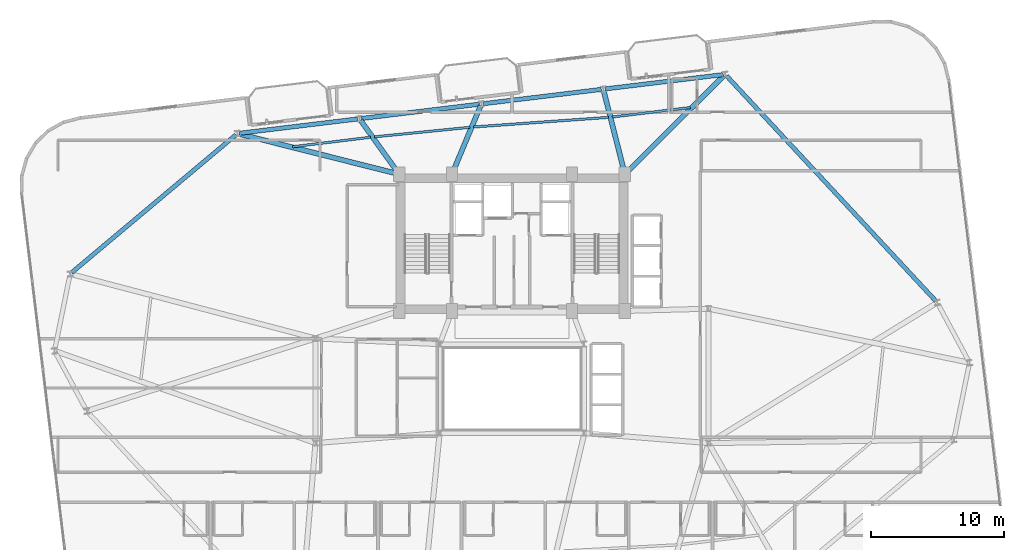
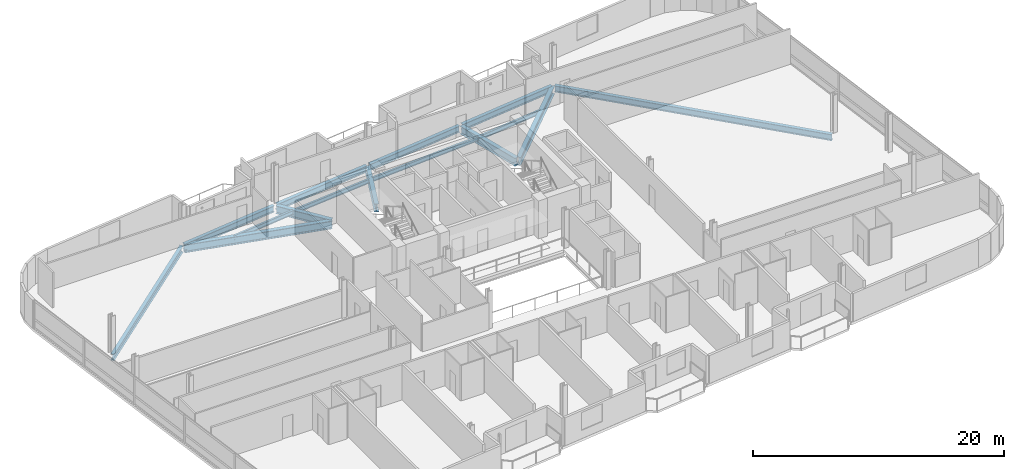
# One storey, part 9 of 23: 15 beams.
"""IFC4 building model written with IfcOpenShell, lengths in metres."""

import ifcopenshell
import ifcopenshell.guid

model = None  # the IFC model being written
_history = None  # IfcOwnerHistory: only IFC2X3 demands one
_inside = {}  # id of a spatial element -> (the spatial element, [elements in it])
_under = {}  # id of a project, library or spatial element -> (it, [spatial elements below it])
_declared = {}  # id of a project -> (the project, [libraries it declares])
_typed = {}  # id of a type object -> (the type object, [elements of that type])
_made_of = {}  # id of a material, layer set ... -> (it, [elements and type objects made of it])


def new_model(schema):
    """Start an empty IFC model of exactly this schema.

    Asked for "IFC4X3", IfcOpenShell would pick the latest addendum, in which some entities
    have other attributes; the version numbers below select the first issue.
    IFC2X3 requires an IfcOwnerHistory on every rooted entity: one is made here for all.
    """
    global model, _history
    if schema == "IFC4X3":
        model = ifcopenshell.file(schema_version=(4, 3, 0, 0))
    else:
        model = ifcopenshell.file(schema=schema)
    _inside.clear()
    _under.clear()
    _declared.clear()
    _typed.clear()
    _made_of.clear()
    _history = None
    if model.schema == "IFC2X3":
        org = make("IfcOrganization", Name="unknown")
        user = make(
            "IfcPersonAndOrganization",
            ThePerson=make("IfcPerson", FamilyName="unknown"),
            TheOrganization=org,
        )
        app = make(
            "IfcApplication",
            ApplicationDeveloper=org,
            Version="unknown",
            ApplicationFullName="unknown",
            ApplicationIdentifier="unknown",
        )
        _history = make(
            "IfcOwnerHistory",
            OwningUser=user,
            OwningApplication=app,
            ChangeAction="ADDED",
            CreationDate=0,
        )
    return model


def make(cls, **values):
    """One entity of the class cls with the attributes given. An attribute that is None is left unset."""
    return model.create_entity(
        cls, **{name: value for name, value in values.items() if value is not None}
    )


def rooted(cls, **values):
    """An entity with a GlobalId (a new one), such as an element, a storey or a relation."""
    return make(cls, GlobalId=ifcopenshell.guid.new(), OwnerHistory=_history, **values)


def si_unit(unit_type, name, prefix=None):
    """IfcSIUnit, for example si_unit("LENGTHUNIT", "METRE", prefix="MILLI")."""
    return make("IfcSIUnit", UnitType=unit_type, Prefix=prefix, Name=name)


def assignment(units):
    """IfcUnitAssignment: the units of a project."""
    return None if units is None else make("IfcUnitAssignment", Units=units)


def point(xyz):
    """IfcCartesianPoint."""
    return None if xyz is None else make("IfcCartesianPoint", Coordinates=xyz)


def direction(xyz):
    """IfcDirection."""
    return None if xyz is None else make("IfcDirection", DirectionRatios=xyz)


def frame(location, z_axis=None, x_axis=None):
    """IfcAxis2Placement3D, a coordinate frame: its origin and axes. An axis left out is left unset."""
    return make(
        "IfcAxis2Placement3D",
        Location=point(location),
        Axis=direction(z_axis),
        RefDirection=direction(x_axis),
    )


def frame_2d(location, x_axis=None):
    """IfcAxis2Placement2D, a coordinate frame in the plane: its origin and x axis."""
    return make(
        "IfcAxis2Placement2D", Location=point(location), RefDirection=direction(x_axis)
    )


def origin():
    """The frame at (0, 0, 0) with its axes left unset."""
    return frame((0.0, 0.0, 0.0))


def origin_2d():
    """The frame at (0, 0) in the plane with its x axis left unset."""
    return frame_2d((0.0, 0.0))


def place(relative_to, where):
    """IfcLocalPlacement: puts the frame where relative to a parent placement (None: the world)."""
    return make(
        "IfcLocalPlacement", PlacementRelTo=relative_to, RelativePlacement=where
    )


def context(
    kind, dimensions, precision=None, world=None, true_north=None, identifier=None
):
    """IfcGeometricRepresentationContext, for example the 3D "Model" context."""
    return make(
        "IfcGeometricRepresentationContext",
        ContextIdentifier=identifier,
        ContextType=kind,
        CoordinateSpaceDimension=dimensions,
        Precision=precision,
        WorldCoordinateSystem=world,
        TrueNorth=true_north,
    )


def subcontext(parent, identifier, kind, view, scale=None):
    """IfcGeometricRepresentationSubContext, for example "Body" below "Model"."""
    return make(
        "IfcGeometricRepresentationSubContext",
        ContextIdentifier=identifier,
        ContextType=kind,
        ParentContext=parent,
        TargetScale=scale,
        TargetView=view,
    )


def project(units=None, contexts=None):
    """IfcProject with its units and contexts."""
    return rooted(
        "IfcProject",
        Name="project",
        RepresentationContexts=contexts,
        UnitsInContext=assignment(units),
    )


def spatial(cls, under=None, at=None, **own):
    """A site, building, storey or space (cls), placed at a placement, below another one or the project."""
    s = rooted(cls, ObjectPlacement=at, **own)
    if under is not None:
        _under.setdefault(under.id(), (under, []))[1].append(s)
    return s


def profile(cls, at=None, kind="AREA", **sizes):
    """A parametric profile (cls). Its sizes go by their IFC names, for example OverallWidth=200.0."""
    return make(cls, ProfileType=kind, Position=at, **sizes)


def i_section(**sizes):
    """IfcIShapeProfileDef."""
    return profile("IfcIShapeProfileDef", **sizes)


def extrude(swept, where, along, depth):
    """IfcExtrudedAreaSolid: the profile swept, set in the frame where, extruded along a direction by depth."""
    return make(
        "IfcExtrudedAreaSolid",
        SweptArea=swept,
        Position=where,
        ExtrudedDirection=direction(along),
        Depth=depth,
    )


def shape(context_of_items, identifier, shape_type, items):
    """IfcShapeRepresentation: the items that make up one representation, for example the "Body"."""
    return make(
        "IfcShapeRepresentation",
        ContextOfItems=context_of_items,
        RepresentationIdentifier=identifier,
        RepresentationType=shape_type,
        Items=items,
    )


def material(Name=None, Category=None):
    """IfcMaterial."""
    return make("IfcMaterial", Name=Name, Category=Category)


def material_profile(
    of_material, cross_section, Name=None, Category=None, Priority=None
):
    """IfcMaterialProfile: a cross section and its material."""
    return make(
        "IfcMaterialProfile",
        Name=Name,
        Material=of_material,
        Profile=cross_section,
        Priority=Priority,
        Category=Category,
    )


def profile_set(profiles, Name=None, composite=None):
    """IfcMaterialProfileSet."""
    return make(
        "IfcMaterialProfileSet",
        Name=Name,
        MaterialProfiles=profiles,
        CompositeProfile=composite,
    )


def made_of(thing, what):
    """Note that an element or type object is made of a material, layer set ...; save() writes the relation."""
    if what is not None:
        _made_of.setdefault(what.id(), (what, []))[1].append(thing)
    return thing


def type_object(cls, material=None, **own):
    """A type object (cls), such as IfcWallType, which elements share."""
    return made_of(rooted(cls, **own), material)


def element(
    cls,
    number,
    at=None,
    inside=None,
    cuts=None,
    type_object=None,
    material=None,
    context=None,
    identifier="Body",
    shape_type=None,
    held_by="IfcProductDefinitionShape",
    body=None,
    shapes=None,
    **own,
):
    """One element of the class cls, such as IfcWall. Its Tag is "e" and its number.

    at: its placement. inside: the storey or other place that contains it. cuts: it is an
    opening in that element (IfcRelVoidsElement). A single representation is given by context,
    identifier, shape_type and body (its items); several are given by shapes. held_by: the class
    of the entity that holds the representations. save() writes the other relations.
    """
    e = rooted(cls, Tag="e%d" % number, ObjectPlacement=at, **own)
    if body is not None:
        shapes = [shape(context, identifier, shape_type, body)]
    if shapes is not None:
        e.Representation = make(held_by, Representations=shapes)
    if inside is not None:
        _inside.setdefault(inside.id(), (inside, []))[1].append(e)
    if cuts is not None:
        rooted(
            "IfcRelVoidsElement", RelatingBuildingElement=cuts, RelatedOpeningElement=e
        )
    if type_object is not None:
        _typed.setdefault(type_object.id(), (type_object, []))[1].append(e)
    return made_of(e, material)


def aggregate(whole, parts):
    """IfcRelAggregates: a whole, such as a stair, and the parts it consists of."""
    return rooted("IfcRelAggregates", RelatingObject=whole, RelatedObjects=parts)


def save(model, path):
    """Write the relations noted so far, then the file.

    IfcRelAggregates (storeys below a building ...), IfcRelContainedInSpatialStructure (elements
    in a storey), IfcRelDefinesByType, IfcRelAssociatesMaterial and IfcRelDeclares: one each for
    every whole, place, type object, material and project.
    """
    for whole, parts in _under.values():
        aggregate(whole, parts)
    for where, things in _inside.values():
        rooted(
            "IfcRelContainedInSpatialStructure",
            RelatedElements=things,
            RelatingStructure=where,
        )
    for kind, things in _typed.values():
        rooted("IfcRelDefinesByType", RelatedObjects=things, RelatingType=kind)
    for what, things in _made_of.values():
        rooted("IfcRelAssociatesMaterial", RelatedObjects=things, RelatingMaterial=what)
    for by, libraries in _declared.values():
        rooted("IfcRelDeclares", RelatingContext=by, RelatedDefinitions=libraries)
    model.write(path)


model = new_model("IFC4")

# Units and contexts
model_context = context("Model", 3, precision=1e-05, world=origin(), true_north=direction((0.0, 1.0)))
body_context = subcontext(model_context, "Body", "Model", "MODEL_VIEW")
ifc_project = project(units=[si_unit("LENGTHUNIT", "METRE"), si_unit("AREAUNIT", "SQUARE_METRE"), si_unit("VOLUMEUNIT", "CUBIC_METRE"), si_unit("PLANEANGLEUNIT", "RADIAN"), si_unit("MASSUNIT", "GRAM", prefix="KILO")], contexts=[model_context])

# Site, building, storey
site_placement = place(None, origin())
site = spatial("IfcSite", under=ifc_project, at=site_placement, CompositionType="ELEMENT")
building_placement = place(site_placement, origin())
building = spatial("IfcBuilding", under=site, at=building_placement, Name="Varnelok Gate Tower", CompositionType="ELEMENT")
storey_placement = place(building_placement, frame((0.0, 0.0, 200.5)))
storey = spatial("IfcBuildingStorey", under=building, at=storey_placement, Name="L51", CompositionType="ELEMENT", Elevation=200.5)

# Beams
ifc_material = material(Name="Structural Steel ASTM A992 Grade 50", Category="steel")
ifc_material_profile_1 = material_profile(ifc_material, i_section(OverallWidth=0.180908203125, OverallDepth=0.4169921875, WebThickness=0.010986328125, FlangeThickness=0.018310546875, FilletRadius=0.013916015625, at=origin_2d()), Name="W16X57")
ifc_profile_set_1 = profile_set([ifc_material_profile_1], Name="Structural Steel ASTM A992 Grade 50")
beam_type_1 = type_object("IfcBeamType", Name="BM-JST-W16X57", PredefinedType="JOIST", material=ifc_profile_set_1)
beam_1_placement = place(storey_placement, frame((52.62451171875, 44.069580078125, -0.45849609375), z_axis=(-0.992731840387, -0.120347385022, 0.0), x_axis=(0.120347385022, -0.992731840387, 0.0)))
element("IfcBeam", 1, at=beam_1_placement, inside=storey, type_object=beam_type_1, Name="L51 Sector Floor Joist 7", PredefinedType="JOIST", context=body_context, shape_type="SweptSolid", body=[
    extrude(i_section(OverallWidth=0.180908203125, OverallDepth=0.4169921875, WebThickness=0.010986328125, FlangeThickness=0.018310546875, FilletRadius=0.013916015625, at=origin_2d()), origin(), (0.0, 0.0, 1.0), 5.91748046875),
])
beam_2_placement = place(storey_placement, frame((46.47119140625, 43.33056640625, -0.45849609375), z_axis=(-0.997462709477, -0.071190892697, 0.0), x_axis=(0.071190892697, -0.997462709477, 0.0)))
element("IfcBeam", 2, at=beam_2_placement, inside=storey, type_object=beam_type_1, Name="L51 Sector Floor Joist 8", PredefinedType="JOIST", context=body_context, shape_type="SweptSolid", body=[
    extrude(i_section(OverallWidth=0.180908203125, OverallDepth=0.4169921875, WebThickness=0.010986328125, FlangeThickness=0.018310546875, FilletRadius=0.013916015625, at=origin_2d()), origin(), (0.0, 0.0, 1.0), 10.195556640625),
])
beam_3_placement = place(storey_placement, frame((36.022705078125, 42.580810546875, -0.45849609375), z_axis=(-0.995047224499, -0.099403324975, 0.0), x_axis=(0.099403324975, -0.995047224499, 0.0)))
element("IfcBeam", 3, at=beam_3_placement, inside=storey, type_object=beam_type_1, Name="L51 Sector Floor Joist 9", PredefinedType="JOIST", context=body_context, shape_type="SweptSolid", body=[
    extrude(i_section(OverallWidth=0.180908203125, OverallDepth=0.4169921875, WebThickness=0.010986328125, FlangeThickness=0.018310546875, FilletRadius=0.013916015625, at=origin_2d()), origin(), (0.0, 0.0, 1.0), 7.223388671875),
])
beam_4_placement = place(storey_placement, frame((28.556884765625, 41.83203125, -0.45849609375), z_axis=(-0.992731242801, -0.120352314337, 0.0), x_axis=(0.120352314337, -0.992731242801, 0.0)))
element("IfcBeam", 4, at=beam_4_placement, inside=storey, type_object=beam_type_1, Name="L51 Sector Floor Joist 10", PredefinedType="JOIST", context=body_context, shape_type="SweptSolid", body=[
    extrude(i_section(OverallWidth=0.180908203125, OverallDepth=0.4169921875, WebThickness=0.010986328125, FlangeThickness=0.018310546875, FilletRadius=0.013916015625, at=origin_2d()), origin(), (0.0, 0.0, 1.0), 5.917236328125),
])
ifc_material_profile_2 = material_profile(ifc_material, i_section(OverallWidth=0.381103515625, OverallDepth=0.77294921875, WebThickness=0.0166015625, FlangeThickness=0.027099609375, FilletRadius=0.02197265625, at=origin_2d()), Name="W30X173")
ifc_profile_set_2 = profile_set([ifc_material_profile_2], Name="Structural Steel ASTM A992 Grade 50")
beam_type_2 = type_object("IfcBeamType", Name="BM-PRI-W30X173", PredefinedType="BEAM", material=ifc_profile_set_2)
beam_5_placement = place(storey_placement, frame((47.806396484375, 39.15576171875, -0.636474609375), z_axis=(0.708989690383, 0.705218844707, 0.0), x_axis=(-0.705218844707, 0.708989690383, 0.0)))
element("IfcBeam", 5, at=beam_5_placement, inside=storey, type_object=beam_type_2, Name="L51 Radial Floor Girder 9", PredefinedType="BEAM", context=body_context, shape_type="SweptSolid", body=[
    extrude(i_section(OverallWidth=0.381103515625, OverallDepth=0.77294921875, WebThickness=0.0166015625, FlangeThickness=0.027099609375, FilletRadius=0.02197265625, at=origin_2d()), origin(), (0.0, 0.0, 1.0), 10.359130859375),
])
beam_6_placement = place(storey_placement, frame((47.6630859375, 39.1953125, -0.636474609375), z_axis=(-0.246004343354, 0.969268725922, 0.0), x_axis=(-0.969268725922, -0.246004343354, 0.0)))
element("IfcBeam", 6, at=beam_6_placement, inside=storey, type_object=beam_type_2, Name="L51 Radial Floor Girder 10", PredefinedType="BEAM", context=body_context, shape_type="SweptSolid", body=[
    extrude(i_section(OverallWidth=0.381103515625, OverallDepth=0.77294921875, WebThickness=0.0166015625, FlangeThickness=0.027099609375, FilletRadius=0.02197265625, at=origin_2d()), origin(), (0.0, 0.0, 1.0), 6.306884765625),
])
beam_7_placement = place(storey_placement, frame((34.73779296875, 39.1884765625, -0.636474609375), z_axis=(0.38573799398, 0.922608367619, 0.0), x_axis=(-0.922608367619, 0.38573799398, 0.0)))
element("IfcBeam", 7, at=beam_7_placement, inside=storey, type_object=beam_type_2, Name="L51 Radial Floor Girder 11", PredefinedType="BEAM", context=body_context, shape_type="SweptSolid", body=[
    extrude(i_section(OverallWidth=0.381103515625, OverallDepth=0.77294921875, WebThickness=0.0166015625, FlangeThickness=0.027099609375, FilletRadius=0.02197265625, at=origin_2d()), origin(), (0.0, 0.0, 1.0), 5.434326171875),
])
beam_8_placement = place(storey_placement, frame((30.61279296875, 39.172119140625, -0.636474609375), z_axis=(-0.582178250272, 0.81306118153, 0.0), x_axis=(-0.81306118153, -0.582178250272, 0.0)))
element("IfcBeam", 8, at=beam_8_placement, inside=storey, type_object=beam_type_2, Name="L51 Radial Floor Girder 12", PredefinedType="BEAM", context=body_context, shape_type="SweptSolid", body=[
    extrude(i_section(OverallWidth=0.381103515625, OverallDepth=0.77294921875, WebThickness=0.0166015625, FlangeThickness=0.027099609375, FilletRadius=0.02197265625, at=origin_2d()), origin(), (0.0, 0.0, 1.0), 4.837646484375),
])
beam_9_placement = place(storey_placement, frame((30.554443359375, 39.086669921875, -0.636474609375), z_axis=(-0.969752143123, 0.244091746906, 0.0), x_axis=(-0.244091746906, -0.969752143123, 0.0)))
element("IfcBeam", 9, at=beam_9_placement, inside=storey, type_object=beam_type_2, Name="L51 Radial Floor Girder 13", PredefinedType="BEAM", context=body_context, shape_type="SweptSolid", body=[
    extrude(i_section(OverallWidth=0.381103515625, OverallDepth=0.77294921875, WebThickness=0.0166015625, FlangeThickness=0.027099609375, FilletRadius=0.02197265625, at=origin_2d()), origin(), (0.0, 0.0, 1.0), 12.25341796875),
])
ifc_material_profile_3 = material_profile(ifc_material, i_section(OverallWidth=0.323974609375, OverallDepth=0.611083984375, WebThickness=0.0126953125, FlangeThickness=0.01904296875, FilletRadius=0.01806640625, at=origin_2d()), Name="W24X104")
ifc_profile_set_3 = profile_set([ifc_material_profile_3], Name="Structural Steel ASTM A992 Grade 50")
beam_type_3 = type_object("IfcBeamType", Name="BM-SPN-W24X104", PredefinedType="SPANDREL", material=ifc_profile_set_3)
beam_10_placement = place(storey_placement, frame((71.123291015625, 29.49365234375, -0.555419921875), z_axis=(-0.680734113922, 0.732530590585, 0.0), x_axis=(-0.732530590585, -0.680734113922, 0.0)))
element("IfcBeam", 10, at=beam_10_placement, inside=storey, type_object=beam_type_3, Name="L51 Perimeter Spandrel Beam 8", PredefinedType="SPANDREL", context=body_context, shape_type="SweptSolid", body=[
    extrude(i_section(OverallWidth=0.323974609375, OverallDepth=0.611083984375, WebThickness=0.0126953125, FlangeThickness=0.01904296875, FilletRadius=0.01806640625, at=origin_2d()), origin(), (0.0, 0.0, 1.0), 23.1572265625),
])
for number, where, z_axis, x_axis, name in (
    (11, (55.1083984375, 46.548828125, -0.555419921875), (-0.992734670707, -0.120324035735, 0.0), (0.120324035735, -0.992734670707, 0.0), "L51 Perimeter Spandrel Beam 9"),
    (12, (45.92578125, 45.435791015625, -0.555419921875), (-0.99273141198, -0.120350918849, 0.0), (0.120350918849, -0.99273141198, 0.0), "L51 Perimeter Spandrel Beam 10"),
    (13, (36.742919921875, 44.322509765625, -0.555419921875), (-0.992734670707, -0.120324035735, 0.0), (0.120324035735, -0.992734670707, 0.0), "L51 Perimeter Spandrel Beam 11"),
    (14, (27.56005859375, 43.209228515625, -0.555419921875), (-0.992734670707, -0.120324035735, 0.0), (0.120324035735, -0.992734670707, 0.0), "L51 Perimeter Spandrel Beam 12"),
):
    element("IfcBeam", number, at=place(storey_placement, frame(where, z_axis=z_axis, x_axis=x_axis)), inside=storey, type_object=beam_type_3, Name=name, PredefinedType="SPANDREL", context=body_context, shape_type="SweptSolid", body=[
        extrude(i_section(OverallWidth=0.323974609375, OverallDepth=0.611083984375, WebThickness=0.0126953125, FlangeThickness=0.01904296875, FilletRadius=0.01806640625, at=origin_2d()), origin(), (0.0, 0.0, 1.0), 8.949951171875),
    ])
beam_11_placement = place(storey_placement, frame((18.411376953125, 42.017822265625, -0.555419921875), z_axis=(-0.766099582792, -0.642721891059, 0.0), x_axis=(0.642721891059, -0.766099582792, 0.0)))
element("IfcBeam", 15, at=beam_11_placement, inside=storey, type_object=beam_type_3, Name="L51 Perimeter Spandrel Beam 13", PredefinedType="SPANDREL", context=body_context, shape_type="SweptSolid", body=[
    extrude(i_section(OverallWidth=0.323974609375, OverallDepth=0.611083984375, WebThickness=0.0126953125, FlangeThickness=0.01904296875, FilletRadius=0.01806640625, at=origin_2d()), origin(), (0.0, 0.0, 1.0), 16.151123046875),
])

save(model, "model.ifc")
